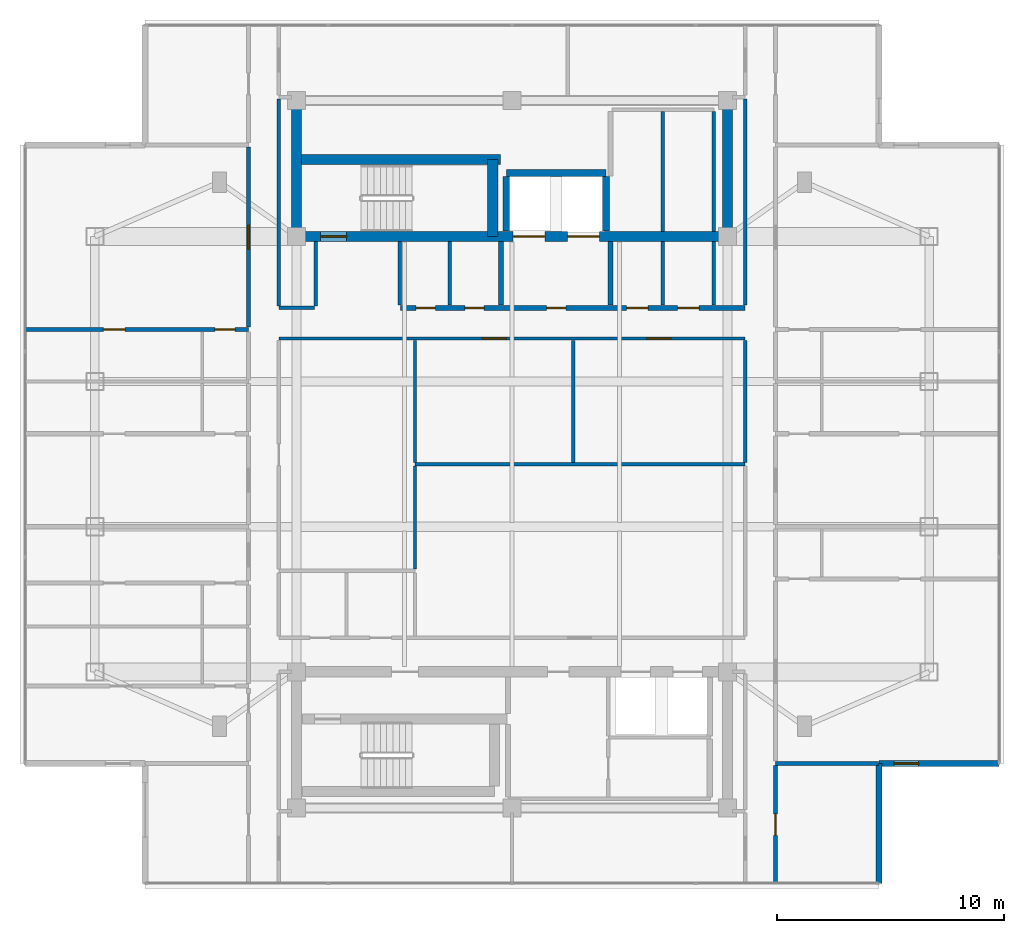
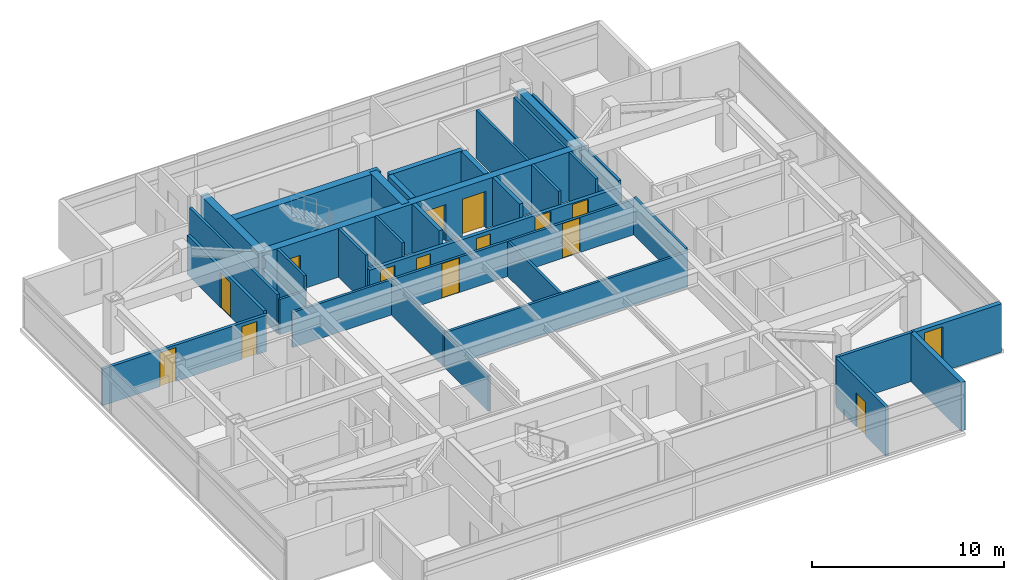
# One storey, part 9 of 14: 33 walls, 14 doors, 1 window, 15 openings.
"""IFC4 building model written with IfcOpenShell, lengths in metres."""

from ifc_helpers import new_model, si_unit, direction, frame, frame_2d, origin, place, context, subcontext, project, spatial, rectangle, extrude, material, layer, layer_set, type_object, element, fill, save


model = new_model("IFC4")

# Units and contexts
model_context = context("Model", 3, precision=1e-05, world=origin(), true_north=direction((0.0, 1.0)))
body_context = subcontext(model_context, "Body", "Model", "MODEL_VIEW")
ifc_project = project(units=[si_unit("LENGTHUNIT", "METRE"), si_unit("AREAUNIT", "SQUARE_METRE"), si_unit("VOLUMEUNIT", "CUBIC_METRE"), si_unit("PLANEANGLEUNIT", "RADIAN"), si_unit("MASSUNIT", "GRAM", prefix="KILO")], contexts=[model_context])

# Site, building, storey
site_placement = place(None, origin())
site = spatial("IfcSite", under=ifc_project, at=site_placement, CompositionType="ELEMENT")
building_placement = place(site_placement, origin())
building = spatial("IfcBuilding", under=site, at=building_placement, Name="Mirazonda Arch Towers", CompositionType="ELEMENT")
storey_placement = place(building_placement, frame((0.0, 0.0, 235.89990234375)))
storey = spatial("IfcBuildingStorey", under=building, at=storey_placement, Name="L67", CompositionType="ELEMENT", Elevation=235.89990234375)

# Walls
ifc_material_1 = material(Name="Concrete C50/60", Category="concrete")
ifc_layer_1 = layer(ifc_material_1, 0.449951171875, Name="WALL-CORE-450")
ifc_layer_set_1 = layer_set([ifc_layer_1], Name="Concrete C50/60")
wall_type_1 = type_object("IfcWallType", Name="WALL-CORE-450", PredefinedType="SHEAR", material=ifc_layer_set_1)
for number, where, z_axis, x_axis, name in (
    (1, (11.0, 37.60009765625, 0.0), (0.0, 0.0, 1.0), (0.0, 1.0, 0.0), "L67 T1N-W Core Shear Wall"),
    (2, (30.0, 37.60009765625, 0.0), (0.0, 0.0, 1.0), (0.0, 1.0, 0.0), "L67 T1N-E Core Shear Wall"),
):
    element("IfcWall", number, at=place(storey_placement, frame(where, z_axis=z_axis, x_axis=x_axis)), inside=storey, type_object=wall_type_1, Name=name, PredefinedType="SHEAR", context=body_context, shape_type="SweptSolid", body=[
        extrude(rectangle(XDim=6.0, YDim=0.449951171875, at=frame_2d((3.0, 0.0))), origin(), (0.0, 0.0, 1.0), 3.10009765625),
    ])

# Wall, openings, doors
wall_1_placement = place(storey_placement, frame((11.0, 37.60009765625, 0.0), z_axis=(0.0, 0.0, 1.0), x_axis=(1.0, 0.0, 0.0)))
wall_1 = element("IfcWall", 3, at=wall_1_placement, inside=storey, type_object=wall_type_1, Name="L67 T1N-S Core Shear Wall", PredefinedType="SHEAR", context=body_context, shape_type="SweptSolid", body=[
    extrude(rectangle(XDim=19.0, YDim=0.449951171875, at=frame_2d((9.5, 0.0))), origin(), (0.0, 0.0, 1.0), 3.10009765625),
])
opening_1_placement = place(wall_1_placement, frame((1.06005859375, 0.0, 0.0)))
opening_1 = element("IfcOpeningElement", 4, at=opening_1_placement, cuts=wall_1, Name="Opening DR-135", PredefinedType="OPENING", context=body_context, shape_type="SweptSolid", body=[
    extrude(rectangle(XDim=1.14990234375, YDim=2.199951171875, at=frame_2d((0.574951171875, 1.10009765625))), frame((0.0, 0.23486328125, 0.0), z_axis=(0.0, -1.0, 0.0), x_axis=(1.0, 0.0, 0.0)), (0.0, 0.0, 1.0), 0.469970703125),
])
opening_2_placement = place(wall_1_placement, frame((9.550048828125, 0.0, 0.0)))
opening_2 = element("IfcOpeningElement", 5, at=opening_2_placement, cuts=wall_1, Name="Opening LD-112", PredefinedType="OPENING", context=body_context, shape_type="SweptSolid", body=[
    extrude(rectangle(XDim=1.39990234375, YDim=2.35009765625, at=frame_2d((0.699951171875, 1.175048828125))), frame((0.0, 0.23486328125, 0.0), z_axis=(0.0, -1.0, 0.0), x_axis=(1.0, 0.0, 0.0)), (0.0, 0.0, 1.0), 0.469970703125),
])
opening_3_placement = place(wall_1_placement, frame((11.949951171875, 0.0, 0.0)))
opening_3 = element("IfcOpeningElement", 6, at=opening_3_placement, cuts=wall_1, Name="Opening LD-112", PredefinedType="OPENING", context=body_context, shape_type="SweptSolid", body=[
    extrude(rectangle(XDim=1.39990234375, YDim=2.35009765625, at=frame_2d((0.699951171875, 1.175048828125))), frame((0.0, 0.23486328125, 0.0), z_axis=(0.0, -1.0, 0.0), x_axis=(1.0, 0.0, 0.0)), (0.0, 0.0, 1.0), 0.469970703125),
])
ifc_material_2 = material(Name="Architectural Brushed Steel S355", Category="steel")
door_type_1 = type_object("IfcDoorType", Name="DOOR-LIFT-FFL-1400", OperationType="NOTDEFINED", PredefinedType="DOOR", material=ifc_material_2)
door_1_placement = place(opening_2_placement, origin())
door_1 = element("IfcDoor", 7, at=door_1_placement, inside=storey, type_object=door_type_1, Name="L67 Lift Landing Sliding Door FFL-T1", OperationType="DOUBLE_DOOR_SLIDING", OverallHeight=2.35009765625, OverallWidth=1.39990234375, PredefinedType="DOOR", context=body_context, shape_type="SweptSolid", body=[
    extrude(rectangle(XDim=1.39990234375, YDim=2.35009765625, at=frame_2d((0.699951171875, 1.175048828125))), frame((0.0, 0.02490234375, 0.0), z_axis=(0.0, -1.0, 0.0), x_axis=(1.0, 0.0, 0.0)), (0.0, 0.0, 1.0), 0.050048828125),
])
fill(opening_2, door_1)
door_2_placement = place(opening_3_placement, origin())
door_2 = element("IfcDoor", 8, at=door_2_placement, inside=storey, type_object=door_type_1, Name="L67 Lift Landing Sliding Door SVL-T1", OperationType="DOUBLE_DOOR_SLIDING", OverallHeight=2.35009765625, OverallWidth=1.39990234375, PredefinedType="DOOR", context=body_context, shape_type="SweptSolid", body=[
    extrude(rectangle(XDim=1.39990234375, YDim=2.35009765625, at=frame_2d((0.699951171875, 1.175048828125))), frame((0.0, 0.02490234375, 0.0), z_axis=(0.0, -1.0, 0.0), x_axis=(1.0, 0.0, 0.0)), (0.0, 0.0, 1.0), 0.050048828125),
])
fill(opening_3, door_2)
door_type_2 = type_object("IfcDoorType", Name="DOOR-STAIR-FD90-1150", OperationType="NOTDEFINED", PredefinedType="DOOR", material=ifc_material_2)
door_3_placement = place(opening_1_placement, origin())
door_3 = element("IfcDoor", 9, at=door_3_placement, inside=storey, type_object=door_type_2, Name="L67 Protected Exit Stair North Door", OperationType="SINGLE_SWING_LEFT", OverallHeight=2.199951171875, OverallWidth=1.14990234375, PredefinedType="DOOR", context=body_context, shape_type="SweptSolid", body=[
    extrude(rectangle(XDim=1.14990234375, YDim=2.199951171875, at=frame_2d((0.574951171875, 1.10009765625))), frame((0.0, 0.02490234375, 0.0), z_axis=(0.0, -1.0, 0.0), x_axis=(1.0, 0.0, 0.0)), (0.0, 0.0, 1.0), 0.050048828125),
])
fill(opening_1, door_3)

# Walls
wall_2_placement = place(storey_placement, frame((11.0, 40.992919921875, 0.0), z_axis=(0.0, 0.0, 1.0), x_axis=(1.0, 0.0, 0.0)))
element("IfcWall", 10, at=wall_2_placement, inside=storey, type_object=wall_type_1, Name="L67 T1N-STN Core Shear Wall", PredefinedType="SHEAR", context=body_context, shape_type="SweptSolid", body=[
    extrude(rectangle(XDim=9.0, YDim=0.449951171875, at=frame_2d((4.5, 0.0))), origin(), (0.0, 0.0, 1.0), 3.10009765625),
])
wall_3_placement = place(storey_placement, frame((19.64990234375, 37.60009765625, 0.0), z_axis=(0.0, 0.0, 1.0), x_axis=(0.0, 1.0, 0.0)))
element("IfcWall", 11, at=wall_3_placement, inside=storey, type_object=wall_type_1, Name="L67 T1N-STE Core Shear Wall", PredefinedType="SHEAR", context=body_context, shape_type="SweptSolid", body=[
    extrude(rectangle(XDim=3.392822265625, YDim=0.449951171875, at=frame_2d((1.6962890625, 0.0))), origin(), (0.0, 0.0, 1.0), 3.10009765625),
])

# Wall, opening, window
ifc_material_3 = material(Name="Precast Concrete C40/50", Category="concrete")
ifc_layer_2 = layer(ifc_material_3, 0.280029296875, Name="WALL-EXT-WALL-280")
ifc_layer_set_2 = layer_set([ifc_layer_2], Name="Precast Concrete C40/50")
wall_type_2 = type_object("IfcWallType", Name="WALL-EXT-WALL-280", PredefinedType="SOLIDWALL", material=ifc_layer_set_2)
wall_4_placement = place(storey_placement, frame((36.68994140625, 14.360107421875, 0.0), z_axis=(0.0, 0.0, 1.0), x_axis=(1.0, 0.0, 0.0)))
wall_4 = element("IfcWall", 12, at=wall_4_placement, inside=storey, type_object=wall_type_2, Name="L67 T1 Corner Notch Return Wall WL-L67-T1-CSE1", PredefinedType="SOLIDWALL", context=body_context, shape_type="SweptSolid", body=[
    extrude(rectangle(XDim=5.2900390625, YDim=0.280029296875, at=frame_2d((2.64501953125, 0.0))), origin(), (0.0, 0.0, 1.0), 3.080078125),
])
opening_4_placement = place(wall_4_placement, frame((0.64990234375, 0.0, 0.85009765625)))
opening_4 = element("IfcOpeningElement", 13, at=opening_4_placement, cuts=wall_4, Name="Opening WN-108", PredefinedType="OPENING", context=body_context, shape_type="SweptSolid", body=[
    extrude(rectangle(XDim=1.10009765625, YDim=2.0, at=frame_2d((0.550048828125, 1.0))), frame((0.0, 0.14990234375, 0.0), z_axis=(0.0, -1.0, 0.0), x_axis=(1.0, 0.0, 0.0)), (0.0, 0.0, 1.0), 0.300048828125),
])
ifc_material_4 = material(Name="Insulated Low-E Solar Glass", Category="glass")
window_type = type_object("IfcWindowType", Name="WIN-NOTCH-1100x2000", PartitioningType="SINGLE_PANEL", PredefinedType="WINDOW", material=ifc_material_4)
window_placement = place(opening_4_placement, origin())
window = element("IfcWindow", 14, at=window_placement, inside=storey, type_object=window_type, Name="L67 Punched Facade Window WN-L67-T1-CSE1", OverallHeight=2.0, OverallWidth=1.10009765625, PartitioningType="SINGLE_PANEL", PredefinedType="WINDOW", context=body_context, shape_type="SweptSolid", body=[
    extrude(rectangle(XDim=1.10009765625, YDim=2.0, at=frame_2d((0.550048828125, 1.0))), frame((0.0, 0.030029296875, 0.0), z_axis=(0.0, -1.0, 0.0), x_axis=(1.0, 0.0, 0.0)), (0.0, 0.0, 1.0), 0.06005859375),
])
fill(opening_4, window)

# Wall
wall_5_placement = place(storey_placement, frame((36.68994140625, 9.070068359375, 0.0), z_axis=(0.0, 0.0, 1.0), x_axis=(0.0, 1.0, 0.0)))
element("IfcWall", 15, at=wall_5_placement, inside=storey, type_object=wall_type_2, Name="L67 T1 Corner Notch Return Wall WL-L67-T1-CSE2", PredefinedType="SOLIDWALL", context=body_context, shape_type="SweptSolid", body=[
    extrude(rectangle(XDim=5.2900390625, YDim=0.280029296875, at=frame_2d((2.64501953125, 0.0))), origin(), (0.0, 0.0, 1.0), 3.080078125),
])

# Wall, openings, doors
ifc_material_5 = material(Name="Concrete C40/50", Category="concrete")
ifc_layer_3 = layer(ifc_material_5, 0.219970703125, Name="WALL-FFL-220")
ifc_layer_set_3 = layer_set([ifc_layer_3], Name="Concrete C40/50")
wall_type_3 = type_object("IfcWallType", Name="WALL-FFL-220", PredefinedType="SOLIDWALL", material=ifc_layer_set_3)
wall_6_placement = place(storey_placement, frame((15.590087890625, 34.449951171875, 0.0), z_axis=(0.0, 0.0, 1.0), x_axis=(1.0, 0.0, 0.0)))
wall_6 = element("IfcWall", 16, at=wall_6_placement, inside=storey, type_object=wall_type_3, Name="L67 Interior Partition 028", PredefinedType="SOLIDWALL", context=body_context, shape_type="SweptSolid", body=[
    extrude(rectangle(XDim=15.18994140625, YDim=0.219970703125, at=frame_2d((7.594970703125, 0.0))), origin(), (0.0, 0.0, 1.0), 2.236083984375),
])
opening_5_placement = place(wall_6_placement, frame((6.43505859375, 0.0, 0.0)))
opening_5 = element("IfcOpeningElement", 17, at=opening_5_placement, cuts=wall_6, Name="Opening DR-128", PredefinedType="OPENING", context=body_context, shape_type="SweptSolid", body=[
    extrude(rectangle(XDim=0.85009765625, YDim=2.010009765625, at=frame_2d((0.425048828125, 1.0048828125))), frame((0.0, 0.119873046875, 0.0), z_axis=(0.0, -1.0, 0.0), x_axis=(1.0, 0.0, 0.0)), (0.0, 0.0, 1.0), 0.239990234375),
])
opening_6_placement = place(wall_6_placement, frame((9.9599609375, 0.0, 0.0)))
opening_6 = element("IfcOpeningElement", 18, at=opening_6_placement, cuts=wall_6, Name="Opening DR-104", PredefinedType="OPENING", context=body_context, shape_type="SweptSolid", body=[
    extrude(rectangle(XDim=0.949951171875, YDim=2.14990234375, at=frame_2d((0.47509765625, 1.074951171875))), frame((0.0, 0.119873046875, 0.0), z_axis=(0.0, -1.0, 0.0), x_axis=(1.0, 0.0, 0.0)), (0.0, 0.0, 1.0), 0.239990234375),
])
opening_7_placement = place(wall_6_placement, frame((12.2099609375, 0.0, 0.0)))
opening_7 = element("IfcOpeningElement", 19, at=opening_7_placement, cuts=wall_6, Name="Opening DR-104", PredefinedType="OPENING", context=body_context, shape_type="SweptSolid", body=[
    extrude(rectangle(XDim=0.949951171875, YDim=2.14990234375, at=frame_2d((0.47509765625, 1.074951171875))), frame((0.0, 0.119873046875, 0.0), z_axis=(0.0, -1.0, 0.0), x_axis=(1.0, 0.0, 0.0)), (0.0, 0.0, 1.0), 0.239990234375),
])
opening_8_placement = place(wall_6_placement, frame((0.675048828125, 0.0, 0.0)))
opening_8 = element("IfcOpeningElement", 20, at=opening_8_placement, cuts=wall_6, Name="Opening DR-128", PredefinedType="OPENING", context=body_context, shape_type="SweptSolid", body=[
    extrude(rectangle(XDim=0.85009765625, YDim=2.010009765625, at=frame_2d((0.425048828125, 1.0048828125))), frame((0.0, 0.119873046875, 0.0), z_axis=(0.0, -1.0, 0.0), x_axis=(1.0, 0.0, 0.0)), (0.0, 0.0, 1.0), 0.239990234375),
])
opening_9_placement = place(wall_6_placement, frame((2.8349609375, 0.0, 0.0)))
opening_9 = element("IfcOpeningElement", 21, at=opening_9_placement, cuts=wall_6, Name="Opening DR-128", PredefinedType="OPENING", context=body_context, shape_type="SweptSolid", body=[
    extrude(rectangle(XDim=0.85009765625, YDim=2.010009765625, at=frame_2d((0.425048828125, 1.0048828125))), frame((0.0, 0.119873046875, 0.0), z_axis=(0.0, -1.0, 0.0), x_axis=(1.0, 0.0, 0.0)), (0.0, 0.0, 1.0), 0.239990234375),
])
door_type_3 = type_object("IfcDoorType", Name="DOOR-RISER-FD60-850", OperationType="NOTDEFINED", PredefinedType="DOOR", material=ifc_material_2)
door_4_placement = place(opening_5_placement, origin())
door_4 = element("IfcDoor", 22, at=door_4_placement, inside=storey, type_object=door_type_3, Name="L67 Firefighting Lift Lobby Door", OperationType="SINGLE_SWING_RIGHT", OverallHeight=2.010009765625, OverallWidth=0.85009765625, PredefinedType="DOOR", context=body_context, shape_type="SweptSolid", body=[
    extrude(rectangle(XDim=0.85009765625, YDim=2.010009765625, at=frame_2d((0.425048828125, 1.0048828125))), frame((0.0, 0.02490234375, 0.0), z_axis=(0.0, -1.0, 0.0), x_axis=(1.0, 0.0, 0.0)), (0.0, 0.0, 1.0), 0.050048828125),
])
fill(opening_5, door_4)
door_5_placement = place(opening_8_placement, origin())
door_5 = element("IfcDoor", 23, at=door_5_placement, inside=storey, type_object=door_type_3, Name="L67 Electrical Room Door", OperationType="SINGLE_SWING_LEFT", OverallHeight=2.010009765625, OverallWidth=0.85009765625, PredefinedType="DOOR", context=body_context, shape_type="SweptSolid", body=[
    extrude(rectangle(XDim=0.85009765625, YDim=2.010009765625, at=frame_2d((0.425048828125, 1.0048828125))), frame((0.0, 0.02490234375, 0.0), z_axis=(0.0, -1.0, 0.0), x_axis=(1.0, 0.0, 0.0)), (0.0, 0.0, 1.0), 0.050048828125),
])
fill(opening_8, door_5)
door_6_placement = place(opening_9_placement, origin())
door_6 = element("IfcDoor", 24, at=door_6_placement, inside=storey, type_object=door_type_3, Name="L67 Cleaners & Housekeeping Store Door", OperationType="SINGLE_SWING_RIGHT", OverallHeight=2.010009765625, OverallWidth=0.85009765625, PredefinedType="DOOR", context=body_context, shape_type="SweptSolid", body=[
    extrude(rectangle(XDim=0.85009765625, YDim=2.010009765625, at=frame_2d((0.425048828125, 1.0048828125))), frame((0.0, 0.02490234375, 0.0), z_axis=(0.0, -1.0, 0.0), x_axis=(1.0, 0.0, 0.0)), (0.0, 0.0, 1.0), 0.050048828125),
])
fill(opening_9, door_6)
door_type_4 = type_object("IfcDoorType", Name="DOOR-ROOM-950", OperationType="NOTDEFINED", PredefinedType="DOOR", material=ifc_material_2)
door_7_placement = place(opening_6_placement, origin())
door_7 = element("IfcDoor", 25, at=door_7_placement, inside=storey, type_object=door_type_4, Name="L67 Residents Private Art Gallery Door", OperationType="SINGLE_SWING_LEFT", OverallHeight=2.14990234375, OverallWidth=0.949951171875, PredefinedType="DOOR", context=body_context, shape_type="SweptSolid", body=[
    extrude(rectangle(XDim=0.949951171875, YDim=2.14990234375, at=frame_2d((0.47509765625, 1.074951171875))), frame((0.0, 0.02490234375, 0.0), z_axis=(0.0, -1.0, 0.0), x_axis=(1.0, 0.0, 0.0)), (0.0, 0.0, 1.0), 0.050048828125),
])
fill(opening_6, door_7)
door_8_placement = place(opening_7_placement, origin())
door_8 = element("IfcDoor", 26, at=door_8_placement, inside=storey, type_object=door_type_4, Name="L67 Private Quiet Study Door", OperationType="SINGLE_SWING_RIGHT", OverallHeight=2.14990234375, OverallWidth=0.949951171875, PredefinedType="DOOR", context=body_context, shape_type="SweptSolid", body=[
    extrude(rectangle(XDim=0.949951171875, YDim=2.14990234375, at=frame_2d((0.47509765625, 1.074951171875))), frame((0.0, 0.02490234375, 0.0), z_axis=(0.0, -1.0, 0.0), x_axis=(1.0, 0.0, 0.0)), (0.0, 0.0, 1.0), 0.050048828125),
])
fill(opening_7, door_8)

# Walls
for number, where, z_axis, x_axis, name in (
    (27, (20.02490234375, 34.570068359375, 0.0), (0.0, 0.0, 1.0), (0.0, 1.0, 0.0), "L67 Interior Partition 063"),
    (28, (24.85009765625, 34.570068359375, 0.0), (0.0, 0.0, 1.0), (0.0, 1.0, 0.0), "L67 Interior Partition 073"),
):
    element("IfcWall", number, at=place(storey_placement, frame(where, z_axis=z_axis, x_axis=x_axis)), inside=storey, type_object=wall_type_3, Name=name, PredefinedType="SOLIDWALL", context=body_context, shape_type="SweptSolid", body=[
        extrude(rectangle(XDim=2.809814453125, YDim=0.219970703125, at=frame_2d((1.40478515625, 0.0))), origin(), (0.0, 0.0, 1.0), 3.10009765625),
    ])
ifc_material_6 = material(Name="Fire-Rated Gypsum Stud Partition")
ifc_layer_4 = layer(ifc_material_6, 0.14990234375, Name="WALL-PART-CORR-150")
ifc_layer_set_4 = layer_set([ifc_layer_4], Name="Fire-Rated Gypsum Stud Partition")
wall_type_4 = type_object("IfcWallType", Name="WALL-PART-CORR-150", PredefinedType="PARTITIONING", material=ifc_layer_set_4)
wall_7_placement = place(storey_placement, frame((16.219970703125, 27.555908203125, 0.0), z_axis=(0.0, 0.0, 1.0), x_axis=(1.0, 0.0, 0.0)))
element("IfcWall", 29, at=wall_7_placement, inside=storey, type_object=wall_type_4, Name="L67 Interior Partition 019", PredefinedType="PARTITIONING", context=body_context, shape_type="SweptSolid", body=[
    extrude(rectangle(XDim=14.56005859375, YDim=0.14990234375, at=frame_2d((7.280029296875, 0.0))), origin(), (0.0, 0.0, 1.0), 2.236083984375),
])

# Wall, openings, doors
wall_8_placement = place(storey_placement, frame((10.219970703125, 33.10009765625, 0.0), z_axis=(0.0, 0.0, 1.0), x_axis=(1.0, 0.0, 0.0)))
wall_8 = element("IfcWall", 30, at=wall_8_placement, inside=storey, type_object=wall_type_4, Name="L67 Interior Partition 024", PredefinedType="PARTITIONING", context=body_context, shape_type="SweptSolid", body=[
    extrude(rectangle(XDim=20.56005859375, YDim=0.14990234375, at=frame_2d((10.280029296875, 0.0))), origin(), (0.0, 0.0, 1.0), 2.236083984375),
])
opening_10_placement = place(wall_8_placement, frame((8.969482421875, 0.0, 0.0)))
opening_10 = element("IfcOpeningElement", 31, at=opening_10_placement, cuts=wall_8, Name="Opening DR-121", PredefinedType="OPENING", context=body_context, shape_type="SweptSolid", body=[
    extrude(rectangle(XDim=1.050048828125, YDim=2.199951171875, at=frame_2d((0.52490234375, 1.10009765625))), frame((0.0, 0.0849609375, 0.0), z_axis=(0.0, -1.0, 0.0), x_axis=(1.0, 0.0, 0.0)), (0.0, 0.0, 1.0), 0.169921875),
])
opening_11_placement = place(wall_8_placement, frame((16.2294921875, 0.0, 0.0)))
opening_11 = element("IfcOpeningElement", 32, at=opening_11_placement, cuts=wall_8, Name="Opening DR-121", PredefinedType="OPENING", context=body_context, shape_type="SweptSolid", body=[
    extrude(rectangle(XDim=1.050048828125, YDim=2.199951171875, at=frame_2d((0.52490234375, 1.10009765625))), frame((0.0, 0.0849609375, 0.0), z_axis=(0.0, -1.0, 0.0), x_axis=(1.0, 0.0, 0.0)), (0.0, 0.0, 1.0), 0.169921875),
])
door_type_5 = type_object("IfcDoorType", Name="DOOR-SUITE-FD60-1050", OperationType="NOTDEFINED", PredefinedType="DOOR", material=ifc_material_2)
door_9_placement = place(opening_10_placement, origin())
door_9 = element("IfcDoor", 33, at=door_9_placement, inside=storey, type_object=door_type_5, Name="L67 Business Reading Study Door", OperationType="SINGLE_SWING_RIGHT", OverallHeight=2.199951171875, OverallWidth=1.050048828125, PredefinedType="DOOR", context=body_context, shape_type="SweptSolid", body=[
    extrude(rectangle(XDim=1.050048828125, YDim=2.199951171875, at=frame_2d((0.52490234375, 1.10009765625))), frame((0.0, 0.02490234375, 0.0), z_axis=(0.0, -1.0, 0.0), x_axis=(1.0, 0.0, 0.0)), (0.0, 0.0, 1.0), 0.050048828125),
])
fill(opening_10, door_9)
door_10_placement = place(opening_11_placement, origin())
door_10 = element("IfcDoor", 34, at=door_10_placement, inside=storey, type_object=door_type_5, Name="L67 Private Meeting Suite Door", OperationType="SINGLE_SWING_LEFT", OverallHeight=2.199951171875, OverallWidth=1.050048828125, PredefinedType="DOOR", context=body_context, shape_type="SweptSolid", body=[
    extrude(rectangle(XDim=1.050048828125, YDim=2.199951171875, at=frame_2d((0.52490234375, 1.10009765625))), frame((0.0, 0.02490234375, 0.0), z_axis=(0.0, -1.0, 0.0), x_axis=(1.0, 0.0, 0.0)), (0.0, 0.0, 1.0), 0.050048828125),
])
fill(opening_11, door_10)

# Walls
wall_9_placement = place(storey_placement, frame((10.219970703125, 34.449951171875, 0.0), z_axis=(0.0, 0.0, 1.0), x_axis=(1.0, 0.0, 0.0)))
element("IfcWall", 35, at=wall_9_placement, inside=storey, type_object=wall_type_4, Name="L67 Interior Partition 027", PredefinedType="PARTITIONING", context=body_context, shape_type="SweptSolid", body=[
    extrude(rectangle(XDim=1.580078125, YDim=0.14990234375, at=frame_2d((0.7900390625, 0.0))), origin(), (0.0, 0.0, 1.0), 2.236083984375),
])
wall_10_placement = place(storey_placement, frame((10.219970703125, 34.534912109375, 0.0), z_axis=(0.0, 0.0, 1.0), x_axis=(0.0, 1.0, 0.0)))
element("IfcWall", 36, at=wall_10_placement, inside=storey, type_object=wall_type_4, Name="L67 Interior Partition 053", PredefinedType="PARTITIONING", context=body_context, shape_type="SweptSolid", body=[
    extrude(rectangle(XDim=9.130126953125, YDim=0.14990234375, at=frame_2d((4.56494140625, 0.0))), origin(), (0.0, 0.0, 1.0), 2.4921875),
])
wall_11_placement = place(storey_placement, frame((11.85009765625, 34.534912109375, 0.0), z_axis=(0.0, 0.0, 1.0), x_axis=(0.0, 1.0, 0.0)))
element("IfcWall", 37, at=wall_11_placement, inside=storey, type_object=wall_type_4, Name="L67 Interior Partition 055", PredefinedType="PARTITIONING", context=body_context, shape_type="SweptSolid", body=[
    extrude(rectangle(XDim=2.844970703125, YDim=0.14990234375, at=frame_2d((1.42236328125, 0.0))), origin(), (0.0, 0.0, 1.0), 3.10009765625),
])
wall_12_placement = place(storey_placement, frame((15.550048828125, 34.570068359375, 0.0), z_axis=(0.0, 0.0, 1.0), x_axis=(0.0, 1.0, 0.0)))
element("IfcWall", 38, at=wall_12_placement, inside=storey, type_object=wall_type_4, Name="L67 Interior Partition 057", PredefinedType="PARTITIONING", context=body_context, shape_type="SweptSolid", body=[
    extrude(rectangle(XDim=2.809814453125, YDim=0.14990234375, at=frame_2d((1.40478515625, 0.0))), origin(), (0.0, 0.0, 1.0), 3.10009765625),
])
wall_13_placement = place(storey_placement, frame((16.219970703125, 22.93505859375, 0.0), z_axis=(0.0, 0.0, 1.0), x_axis=(0.0, 1.0, 0.0)))
element("IfcWall", 39, at=wall_13_placement, inside=storey, type_object=wall_type_4, Name="L67 Interior Partition 059", PredefinedType="PARTITIONING", context=body_context, shape_type="SweptSolid", body=[
    extrude(rectangle(XDim=4.535888671875, YDim=0.14990234375, at=frame_2d((2.26806640625, 0.0))), origin(), (0.0, 0.0, 1.0), 2.236083984375),
])
wall_14_placement = place(storey_placement, frame((16.219970703125, 27.64111328125, 0.0), z_axis=(0.0, 0.0, 1.0), x_axis=(0.0, 1.0, 0.0)))
element("IfcWall", 40, at=wall_14_placement, inside=storey, type_object=wall_type_4, Name="L67 Interior Partition 060", PredefinedType="PARTITIONING", context=body_context, shape_type="SweptSolid", body=[
    extrude(rectangle(XDim=5.373779296875, YDim=0.14990234375, at=frame_2d((2.68701171875, 0.0))), origin(), (0.0, 0.0, 1.0), 2.236083984375),
])
wall_15_placement = place(storey_placement, frame((17.75, 34.570068359375, 0.0), z_axis=(0.0, 0.0, 1.0), x_axis=(0.0, 1.0, 0.0)))
element("IfcWall", 41, at=wall_15_placement, inside=storey, type_object=wall_type_4, Name="L67 Interior Partition 061", PredefinedType="PARTITIONING", context=body_context, shape_type="SweptSolid", body=[
    extrude(rectangle(XDim=2.809814453125, YDim=0.14990234375, at=frame_2d((1.40478515625, 0.0))), origin(), (0.0, 0.0, 1.0), 3.10009765625),
])
wall_16_placement = place(storey_placement, frame((23.208984375, 27.64111328125, 0.0), z_axis=(0.0, 0.0, 1.0), x_axis=(0.0, 1.0, 0.0)))
element("IfcWall", 42, at=wall_16_placement, inside=storey, type_object=wall_type_4, Name="L67 Interior Partition 069", PredefinedType="PARTITIONING", context=body_context, shape_type="SweptSolid", body=[
    extrude(rectangle(XDim=5.373779296875, YDim=0.14990234375, at=frame_2d((2.68701171875, 0.0))), origin(), (0.0, 0.0, 1.0), 2.236083984375),
])
wall_17_placement = place(storey_placement, frame((27.14990234375, 34.570068359375, 0.0), z_axis=(0.0, 0.0, 1.0), x_axis=(0.0, 1.0, 0.0)))
element("IfcWall", 43, at=wall_17_placement, inside=storey, type_object=wall_type_4, Name="L67 Interior Partition 075", PredefinedType="PARTITIONING", context=body_context, shape_type="SweptSolid", body=[
    extrude(rectangle(XDim=2.809814453125, YDim=0.14990234375, at=frame_2d((1.40478515625, 0.0))), origin(), (0.0, 0.0, 1.0), 3.10009765625),
])
wall_18_placement = place(storey_placement, frame((27.14990234375, 37.820068359375, 0.0), z_axis=(0.0, 0.0, 1.0), x_axis=(0.0, 1.0, 0.0)))
element("IfcWall", 44, at=wall_18_placement, inside=storey, type_object=wall_type_4, Name="L67 Interior Partition 076", PredefinedType="PARTITIONING", context=body_context, shape_type="SweptSolid", body=[
    extrude(rectangle(XDim=5.294921875, YDim=0.14990234375, at=frame_2d((2.6474609375, 0.0))), origin(), (0.0, 0.0, 1.0), 3.10009765625),
])
wall_19_placement = place(storey_placement, frame((29.39990234375, 34.570068359375, 0.0), z_axis=(0.0, 0.0, 1.0), x_axis=(0.0, 1.0, 0.0)))
element("IfcWall", 45, at=wall_19_placement, inside=storey, type_object=wall_type_4, Name="L67 Interior Partition 079", PredefinedType="PARTITIONING", context=body_context, shape_type="SweptSolid", body=[
    extrude(rectangle(XDim=2.809814453125, YDim=0.14990234375, at=frame_2d((1.40478515625, 0.0))), origin(), (0.0, 0.0, 1.0), 3.10009765625),
])
wall_20_placement = place(storey_placement, frame((29.39990234375, 37.820068359375, 0.0), z_axis=(0.0, 0.0, 1.0), x_axis=(0.0, 1.0, 0.0)))
element("IfcWall", 46, at=wall_20_placement, inside=storey, type_object=wall_type_4, Name="L67 Interior Partition 080", PredefinedType="PARTITIONING", context=body_context, shape_type="SweptSolid", body=[
    extrude(rectangle(XDim=5.294921875, YDim=0.14990234375, at=frame_2d((2.6474609375, 0.0))), origin(), (0.0, 0.0, 1.0), 3.10009765625),
])
wall_21_placement = place(storey_placement, frame((30.780029296875, 27.64111328125, 0.0), z_axis=(0.0, 0.0, 1.0), x_axis=(0.0, 1.0, 0.0)))
element("IfcWall", 47, at=wall_21_placement, inside=storey, type_object=wall_type_4, Name="L67 Interior Partition 084", PredefinedType="PARTITIONING", context=body_context, shape_type="SweptSolid", body=[
    extrude(rectangle(XDim=5.373779296875, YDim=0.14990234375, at=frame_2d((2.68701171875, 0.0))), origin(), (0.0, 0.0, 1.0), 2.39599609375),
])
wall_22_placement = place(storey_placement, frame((30.780029296875, 34.570068359375, 0.0), z_axis=(0.0, 0.0, 1.0), x_axis=(0.0, 1.0, 0.0)))
element("IfcWall", 48, at=wall_22_placement, inside=storey, type_object=wall_type_4, Name="L67 Interior Partition 085", PredefinedType="PARTITIONING", context=body_context, shape_type="SweptSolid", body=[
    extrude(rectangle(XDim=9.094970703125, YDim=0.14990234375, at=frame_2d((4.54736328125, 0.0))), origin(), (0.0, 0.0, 1.0), 2.4921875),
])
ifc_material_7 = material(Name="Fire-Rated Gypsum Twin-Stud Assembly")
ifc_layer_5 = layer(ifc_material_7, 0.179931640625, Name="WALL-PART-DEMISE-180")
ifc_layer_set_5 = layer_set([ifc_layer_5], Name="Fire-Rated Gypsum Twin-Stud Assembly")
wall_type_5 = type_object("IfcWallType", Name="WALL-PART-DEMISE-180", PredefinedType="PARTITIONING", material=ifc_layer_set_5)
wall_23_placement = place(storey_placement, frame((32.1201171875, 14.360107421875, 0.0), z_axis=(0.0, 0.0, 1.0), x_axis=(1.0, 0.0, 0.0)))
element("IfcWall", 49, at=wall_23_placement, inside=storey, type_object=wall_type_5, Name="L67 Interior Partition 006", PredefinedType="PARTITIONING", context=body_context, shape_type="SweptSolid", body=[
    extrude(rectangle(XDim=4.5498046875, YDim=0.179931640625, at=frame_2d((2.27490234375, 0.0))), origin(), (0.0, 0.0, 1.0), 3.10009765625),
])

# Wall, openings, doors
wall_24_placement = place(storey_placement, frame((-0.97998046875, 33.5, 0.0), z_axis=(0.0, 0.0, 1.0), x_axis=(1.0, 0.0, 0.0)))
wall_24 = element("IfcWall", 50, at=wall_24_placement, inside=storey, type_object=wall_type_5, Name="L67 Interior Partition 025", PredefinedType="PARTITIONING", context=body_context, shape_type="SweptSolid", body=[
    extrude(rectangle(XDim=9.85986328125, YDim=0.179931640625, at=frame_2d((4.929931640625, 0.0))), origin(), (0.0, 0.0, 1.0), 2.319091796875),
])
opening_12_placement = place(wall_24_placement, frame((3.455078125, 0.0, 0.0)))
opening_12 = element("IfcOpeningElement", 51, at=opening_12_placement, cuts=wall_24, Name="Opening DR-104", PredefinedType="OPENING", context=body_context, shape_type="SweptSolid", body=[
    extrude(rectangle(XDim=0.949951171875, YDim=2.14990234375, at=frame_2d((0.47509765625, 1.074951171875))), frame((0.0, 0.099853515625, 0.0), z_axis=(0.0, -1.0, 0.0), x_axis=(1.0, 0.0, 0.0)), (0.0, 0.0, 1.0), 0.199951171875),
])
opening_13_placement = place(wall_24_placement, frame((8.3701171875, 0.0, 0.0)))
opening_13 = element("IfcOpeningElement", 52, at=opening_13_placement, cuts=wall_24, Name="Opening DR-120", PredefinedType="OPENING", context=body_context, shape_type="SweptSolid", body=[
    extrude(rectangle(XDim=0.89990234375, YDim=2.10009765625, at=frame_2d((0.449951171875, 1.050048828125))), frame((0.0, 0.099853515625, 0.0), z_axis=(0.0, -1.0, 0.0), x_axis=(1.0, 0.0, 0.0)), (0.0, 0.0, 1.0), 0.199951171875),
])
door_11_placement = place(opening_12_placement, origin())
door_11 = element("IfcDoor", 53, at=door_11_placement, inside=storey, type_object=door_type_4, Name="L67 Suite Bedroom 4 Door", OperationType="SINGLE_SWING_RIGHT", OverallHeight=2.14990234375, OverallWidth=0.949951171875, PredefinedType="DOOR", context=body_context, shape_type="SweptSolid", body=[
    extrude(rectangle(XDim=0.949951171875, YDim=2.14990234375, at=frame_2d((0.47509765625, 1.074951171875))), frame((0.0, 0.02490234375, 0.0), z_axis=(0.0, -1.0, 0.0), x_axis=(1.0, 0.0, 0.0)), (0.0, 0.0, 1.0), 0.050048828125),
])
fill(opening_12, door_11)
door_type_6 = type_object("IfcDoorType", Name="DOOR-WC-900", OperationType="NOTDEFINED", PredefinedType="DOOR", material=ifc_material_2)
door_12_placement = place(opening_13_placement, origin())
door_12 = element("IfcDoor", 54, at=door_12_placement, inside=storey, type_object=door_type_6, Name="L67 Suite En-Suite Bathroom 4 Door", OperationType="SINGLE_SWING_LEFT", OverallHeight=2.10009765625, OverallWidth=0.89990234375, PredefinedType="DOOR", context=body_context, shape_type="SweptSolid", body=[
    extrude(rectangle(XDim=0.89990234375, YDim=2.10009765625, at=frame_2d((0.449951171875, 1.050048828125))), frame((0.0, 0.02490234375, 0.0), z_axis=(0.0, -1.0, 0.0), x_axis=(1.0, 0.0, 0.0)), (0.0, 0.0, 1.0), 0.050048828125),
])
fill(opening_13, door_12)

# Wall, opening, door
wall_25_placement = place(storey_placement, frame((8.8798828125, 33.60009765625, 0.0), z_axis=(0.0, 0.0, 1.0), x_axis=(0.0, 1.0, 0.0)))
wall_25 = element("IfcWall", 55, at=wall_25_placement, inside=storey, type_object=wall_type_5, Name="L67 Interior Partition 047", PredefinedType="PARTITIONING", context=body_context, shape_type="SweptSolid", body=[
    extrude(rectangle(XDim=7.93994140625, YDim=0.179931640625, at=frame_2d((3.969970703125, 0.0))), origin(), (0.0, 0.0, 1.0), 2.4921875),
])
opening_14_placement = place(wall_25_placement, frame((3.445068359375, 0.0, 0.0)))
opening_14 = element("IfcOpeningElement", 56, at=opening_14_placement, cuts=wall_25, Name="Opening DR-121", PredefinedType="OPENING", context=body_context, shape_type="SweptSolid", body=[
    extrude(rectangle(XDim=1.050048828125, YDim=2.199951171875, at=frame_2d((0.52490234375, 1.10009765625))), frame((0.0, 0.099853515625, 0.0), z_axis=(0.0, -1.0, 0.0), x_axis=(1.0, 0.0, 0.0)), (0.0, 0.0, 1.0), 0.199951171875),
])
door_13_placement = place(opening_14_placement, origin())
door_13 = element("IfcDoor", 57, at=door_13_placement, inside=storey, type_object=door_type_5, Name="L67 Presidential Hotel Suite 4 Door", OperationType="SINGLE_SWING_LEFT", OverallHeight=2.199951171875, OverallWidth=1.050048828125, PredefinedType="DOOR", context=body_context, shape_type="SweptSolid", body=[
    extrude(rectangle(XDim=1.050048828125, YDim=2.199951171875, at=frame_2d((0.52490234375, 1.10009765625))), frame((0.0, 0.02490234375, 0.0), z_axis=(0.0, -1.0, 0.0), x_axis=(1.0, 0.0, 0.0)), (0.0, 0.0, 1.0), 0.050048828125),
])
fill(opening_14, door_13)

wall_26_placement = place(storey_placement, frame((32.1201171875, 9.070068359375, 0.0), z_axis=(0.0, 0.0, 1.0), x_axis=(0.0, 1.0, 0.0)))
wall_26 = element("IfcWall", 58, at=wall_26_placement, inside=storey, type_object=wall_type_5, Name="L67 Interior Partition 087", PredefinedType="PARTITIONING", context=body_context, shape_type="SweptSolid", body=[
    extrude(rectangle(XDim=5.18994140625, YDim=0.179931640625, at=frame_2d((2.594970703125, 0.0))), origin(), (0.0, 0.0, 1.0), 3.10009765625),
])
opening_15_placement = place(wall_26_placement, frame((2.1201171875, 0.0, 0.0)))
opening_15 = element("IfcOpeningElement", 59, at=opening_15_placement, cuts=wall_26, Name="Opening DR-104", PredefinedType="OPENING", context=body_context, shape_type="SweptSolid", body=[
    extrude(rectangle(XDim=0.949951171875, YDim=2.14990234375, at=frame_2d((0.47509765625, 1.074951171875))), frame((0.0, 0.099853515625, 0.0), z_axis=(0.0, -1.0, 0.0), x_axis=(1.0, 0.0, 0.0)), (0.0, 0.0, 1.0), 0.199951171875),
])
door_14_placement = place(opening_15_placement, origin())
door_14 = element("IfcDoor", 60, at=door_14_placement, inside=storey, type_object=door_type_4, Name="L67 South Horizon Lounge Alcove East Door", OperationType="SINGLE_SWING_LEFT", OverallHeight=2.14990234375, OverallWidth=0.949951171875, PredefinedType="DOOR", context=body_context, shape_type="SweptSolid", body=[
    extrude(rectangle(XDim=0.949951171875, YDim=2.14990234375, at=frame_2d((0.47509765625, 1.074951171875))), frame((0.0, 0.02490234375, 0.0), z_axis=(0.0, -1.0, 0.0), x_axis=(1.0, 0.0, 0.0)), (0.0, 0.0, 1.0), 0.050048828125),
])
fill(opening_15, door_14)

# Walls
ifc_layer_6 = layer(ifc_material_1, 0.300048828125, Name="WALL-SHAFT-300")
ifc_layer_set_6 = layer_set([ifc_layer_6], Name="Concrete C50/60")
wall_type_6 = type_object("IfcWallType", Name="WALL-SHAFT-300", PredefinedType="SOLIDWALL", material=ifc_layer_set_6)
wall_27_placement = place(storey_placement, frame((20.25, 40.39990234375, 0.0), z_axis=(0.0, 0.0, 1.0), x_axis=(1.0, 0.0, 0.0)))
element("IfcWall", 61, at=wall_27_placement, inside=storey, type_object=wall_type_6, Name="L67 Interior Partition 029", PredefinedType="SOLIDWALL", context=body_context, shape_type="SweptSolid", body=[
    extrude(rectangle(XDim=4.39990234375, YDim=0.300048828125, at=frame_2d((2.199951171875, 0.0))), origin(), (0.0, 0.0, 1.0), 3.10009765625),
])
for number, where, z_axis, x_axis, name in (
    (62, (20.25, 37.85009765625, 0.0), (0.0, 0.0, 1.0), (0.0, 1.0, 0.0), "L67 Interior Partition 066"),
    (63, (24.64990234375, 37.85009765625, 0.0), (0.0, 0.0, 1.0), (0.0, 1.0, 0.0), "L67 Interior Partition 072"),
):
    element("IfcWall", number, at=place(storey_placement, frame(where, z_axis=z_axis, x_axis=x_axis)), inside=storey, type_object=wall_type_6, Name=name, PredefinedType="SOLIDWALL", context=body_context, shape_type="SweptSolid", body=[
        extrude(rectangle(XDim=2.389892578125, YDim=0.300048828125, at=frame_2d((1.19482421875, 0.0))), origin(), (0.0, 0.0, 1.0), 3.10009765625),
    ])

save(model, "model.ifc")
